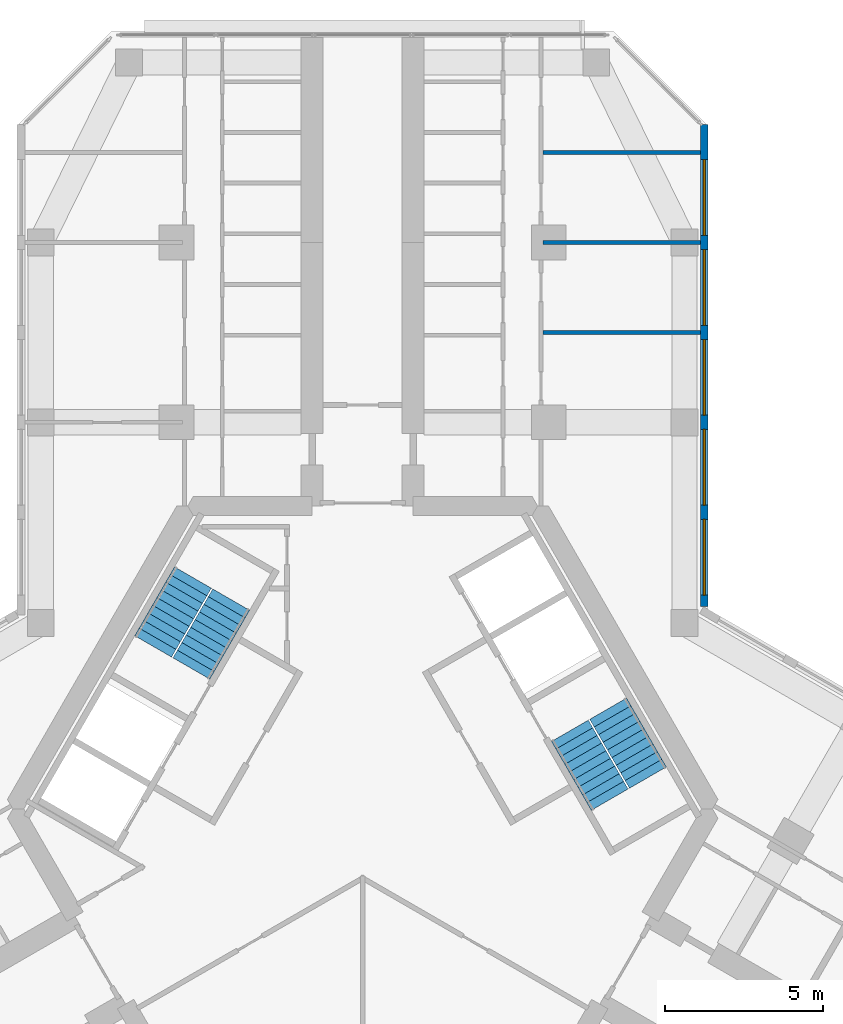
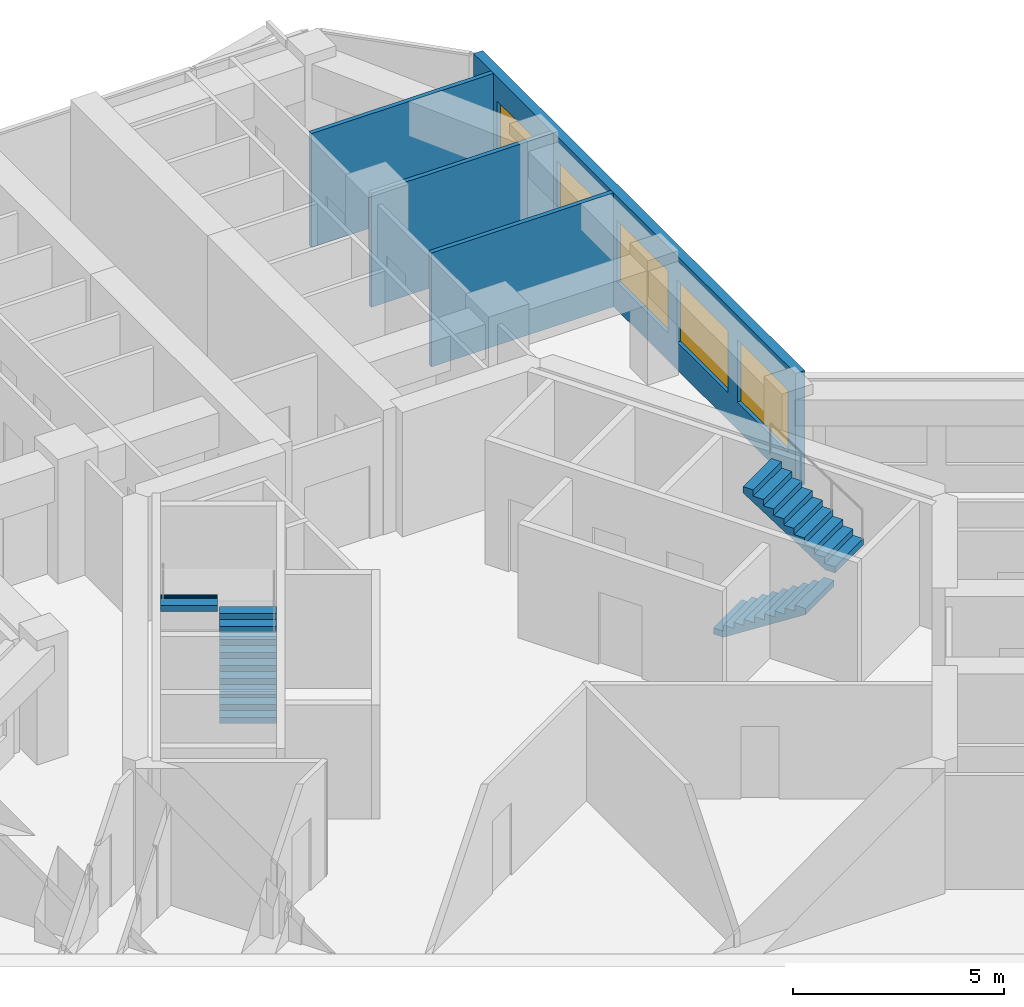
# One storey, part 15 of 16: 5 windows, 4 stair flights, 4 walls, 5 openings, 2 elements without a shape of their own.
"""IFC4 building model written with IfcOpenShell, lengths in metres."""

from ifc_helpers import new_model, si_unit, direction, frame, frame_2d, origin, place, context, subcontext, project, spatial, polyline, rectangle, outline, extrude, material, layer, layer_set, type_object, element, fill, aggregate, save


model = new_model("IFC4")

# Units and contexts
model_context = context("Model", 3, precision=1e-05, world=origin(), true_north=direction((0.0, 1.0)))
body_context = subcontext(model_context, "Body", "Model", "MODEL_VIEW")
ifc_project = project(units=[si_unit("LENGTHUNIT", "METRE"), si_unit("AREAUNIT", "SQUARE_METRE"), si_unit("VOLUMEUNIT", "CUBIC_METRE"), si_unit("PLANEANGLEUNIT", "RADIAN"), si_unit("MASSUNIT", "GRAM", prefix="KILO")], contexts=[model_context])

# Site, building, storey
site_placement = place(None, origin())
site = spatial("IfcSite", under=ifc_project, at=site_placement, CompositionType="ELEMENT")
building_placement = place(site_placement, origin())
building = spatial("IfcBuilding", under=site, at=building_placement, Name="Kosmar Iwan School Tower", CompositionType="ELEMENT")
storey_placement = place(building_placement, frame((0.0, 0.0, 256.800048828125)))
storey = spatial("IfcBuildingStorey", under=building, at=storey_placement, Name="L65", CompositionType="ELEMENT", Elevation=256.800048828125)

# Walls
ifc_material_1 = material(Name="Gypsum board on steel studs", Category="steel")
ifc_layer_1 = layer(ifc_material_1, 0.1201171875)
ifc_layer_set_1 = layer_set([ifc_layer_1], Name="Dwelling partition 120")
wall_type_1 = type_object("IfcWallType", Name="Dwelling partition 120", PredefinedType="PARTITIONING", material=ifc_layer_set_1)
for number, where, z_axis, x_axis, name in (
    (1, (5.7099609375, 15.10009765625, 0.0), (0.0, 0.0, 1.0), (1.0, 0.0, 0.0), "Partition L65-AR1-X1"),
    (2, (5.7099609375, 17.949951171875, 0.0), (0.0, 0.0, 1.0), (1.0, 0.0, 0.0), "Partition L65-AR1-X2"),
    (3, (5.7099609375, 20.800048828125, 0.0), (0.0, 0.0, 1.0), (1.0, 0.0, 0.0), "Partition L65-AR1-X3"),
):
    element("IfcWall", number, at=place(storey_placement, frame(where, z_axis=z_axis, x_axis=x_axis)), inside=storey, type_object=wall_type_1, Name=name, PredefinedType="PARTITIONING", context=body_context, shape_type="SweptSolid", body=[
        extrude(rectangle(XDim=4.989990234375, YDim=0.1201171875, at=frame_2d((2.4951171875, 0.0))), origin(), (0.0, 0.0, 1.0), 3.300048828125),
    ])

# Wall, openings, windows
ifc_material_2 = material(Name="Black aluminium rainscreen on insulated framing", Category="aluminium")
ifc_layer_2 = layer(ifc_material_2, 0.25)
ifc_layer_set_2 = layer_set([ifc_layer_2], Name="External wall rainscreen 250")
wall_type_2 = type_object("IfcWallType", Name="External wall rainscreen 250", PredefinedType="SOLIDWALL", material=ifc_layer_set_2)
wall_placement = place(storey_placement, frame((10.824951171875, 6.408935546875, 0.0), z_axis=(0.0, 0.0, 1.0), x_axis=(0.0, 1.0, 0.0)))
wall = element("IfcWall", 4, at=wall_placement, inside=storey, type_object=wall_type_2, Name="External wall AR L65", PredefinedType="SOLIDWALL", context=body_context, shape_type="SweptSolid", body=[
    extrude(rectangle(XDim=15.2763671875, YDim=0.25, at=frame_2d((7.63818359375, 0.0))), origin(), (0.0, 0.0, 1.0), 3.300048828125),
])
opening_1_placement = place(wall_placement, frame((0.365966796875, 0.0, 0.800048828125)))
opening_1 = element("IfcOpeningElement", 5, at=opening_1_placement, cuts=wall, Name="Opening W5", PredefinedType="OPENING", context=body_context, shape_type="SweptSolid", body=[
    extrude(rectangle(XDim=2.39990234375, YDim=1.800048828125, at=frame_2d((1.199951171875, 0.89990234375))), frame((0.0, 0.136962890625, 0.0), z_axis=(0.0, -1.0, 0.0), x_axis=(1.0, 0.0, 0.0)), (0.0, 0.0, 1.0), 0.27392578125),
])
opening_2_placement = place(wall_placement, frame((3.216064453125, 0.0, 0.800048828125)))
opening_2 = element("IfcOpeningElement", 6, at=opening_2_placement, cuts=wall, Name="Opening W5", PredefinedType="OPENING", context=body_context, shape_type="SweptSolid", body=[
    extrude(rectangle(XDim=2.39990234375, YDim=1.800048828125, at=frame_2d((1.199951171875, 0.89990234375))), frame((0.0, 0.136962890625, 0.0), z_axis=(0.0, -1.0, 0.0), x_axis=(1.0, 0.0, 0.0)), (0.0, 0.0, 1.0), 0.27392578125),
])
opening_3_placement = place(wall_placement, frame((6.06591796875, 0.0, 0.800048828125)))
opening_3 = element("IfcOpeningElement", 7, at=opening_3_placement, cuts=wall, Name="Opening W5", PredefinedType="OPENING", context=body_context, shape_type="SweptSolid", body=[
    extrude(rectangle(XDim=2.39990234375, YDim=1.800048828125, at=frame_2d((1.199951171875, 0.89990234375))), frame((0.0, 0.136962890625, 0.0), z_axis=(0.0, -1.0, 0.0), x_axis=(1.0, 0.0, 0.0)), (0.0, 0.0, 1.0), 0.27392578125),
])
opening_4_placement = place(wall_placement, frame((8.916015625, 0.0, 0.800048828125)))
opening_4 = element("IfcOpeningElement", 8, at=opening_4_placement, cuts=wall, Name="Opening W5", PredefinedType="OPENING", context=body_context, shape_type="SweptSolid", body=[
    extrude(rectangle(XDim=2.39990234375, YDim=1.800048828125, at=frame_2d((1.199951171875, 0.89990234375))), frame((0.0, 0.136962890625, 0.0), z_axis=(0.0, -1.0, 0.0), x_axis=(1.0, 0.0, 0.0)), (0.0, 0.0, 1.0), 0.27392578125),
])
opening_5_placement = place(wall_placement, frame((11.76611328125, 0.0, 0.800048828125)))
opening_5 = element("IfcOpeningElement", 9, at=opening_5_placement, cuts=wall, Name="Opening W5", PredefinedType="OPENING", context=body_context, shape_type="SweptSolid", body=[
    extrude(rectangle(XDim=2.39990234375, YDim=1.800048828125, at=frame_2d((1.199951171875, 0.89990234375))), frame((0.0, 0.136962890625, 0.0), z_axis=(0.0, -1.0, 0.0), x_axis=(1.0, 0.0, 0.0)), (0.0, 0.0, 1.0), 0.27392578125),
])
ifc_material_3 = material(Name="Black aluminium frame with dark triple glazing", Category="aluminium")
window_type = type_object("IfcWindowType", Name="Window 2400x1800", PartitioningType="SINGLE_PANEL", PredefinedType="WINDOW", material=ifc_material_3)
window_1_placement = place(opening_1_placement, origin())
window_1 = element("IfcWindow", 10, at=window_1_placement, inside=storey, type_object=window_type, Name="Window AR L65 -1", OverallHeight=1.800048828125, OverallWidth=2.39990234375, PartitioningType="SINGLE_PANEL", PredefinedType="WINDOW", context=body_context, shape_type="SweptSolid", body=[
    extrude(rectangle(XDim=2.39990234375, YDim=1.800048828125, at=frame_2d((1.199951171875, 0.89990234375))), frame((0.0, 0.030029296875, 0.0), z_axis=(0.0, -1.0, 0.0), x_axis=(1.0, 0.0, 0.0)), (0.0, 0.0, 1.0), 0.06005859375),
])
fill(opening_1, window_1)
window_2_placement = place(opening_2_placement, origin())
window_2 = element("IfcWindow", 11, at=window_2_placement, inside=storey, type_object=window_type, Name="Window AR L65 0", OverallHeight=1.800048828125, OverallWidth=2.39990234375, PartitioningType="SINGLE_PANEL", PredefinedType="WINDOW", context=body_context, shape_type="SweptSolid", body=[
    extrude(rectangle(XDim=2.39990234375, YDim=1.800048828125, at=frame_2d((1.199951171875, 0.89990234375))), frame((0.0, 0.030029296875, 0.0), z_axis=(0.0, -1.0, 0.0), x_axis=(1.0, 0.0, 0.0)), (0.0, 0.0, 1.0), 0.06005859375),
])
fill(opening_2, window_2)
window_3_placement = place(opening_3_placement, origin())
window_3 = element("IfcWindow", 12, at=window_3_placement, inside=storey, type_object=window_type, Name="Window AR L65 1", OverallHeight=1.800048828125, OverallWidth=2.39990234375, PartitioningType="SINGLE_PANEL", PredefinedType="WINDOW", context=body_context, shape_type="SweptSolid", body=[
    extrude(rectangle(XDim=2.39990234375, YDim=1.800048828125, at=frame_2d((1.199951171875, 0.89990234375))), frame((0.0, 0.030029296875, 0.0), z_axis=(0.0, -1.0, 0.0), x_axis=(1.0, 0.0, 0.0)), (0.0, 0.0, 1.0), 0.06005859375),
])
fill(opening_3, window_3)
window_4_placement = place(opening_4_placement, origin())
window_4 = element("IfcWindow", 13, at=window_4_placement, inside=storey, type_object=window_type, Name="Window AR L65 2", OverallHeight=1.800048828125, OverallWidth=2.39990234375, PartitioningType="SINGLE_PANEL", PredefinedType="WINDOW", context=body_context, shape_type="SweptSolid", body=[
    extrude(rectangle(XDim=2.39990234375, YDim=1.800048828125, at=frame_2d((1.199951171875, 0.89990234375))), frame((0.0, 0.030029296875, 0.0), z_axis=(0.0, -1.0, 0.0), x_axis=(1.0, 0.0, 0.0)), (0.0, 0.0, 1.0), 0.06005859375),
])
fill(opening_4, window_4)
window_5_placement = place(opening_5_placement, origin())
window_5 = element("IfcWindow", 14, at=window_5_placement, inside=storey, type_object=window_type, Name="Window AR L65 3", OverallHeight=1.800048828125, OverallWidth=2.39990234375, PartitioningType="SINGLE_PANEL", PredefinedType="WINDOW", context=body_context, shape_type="SweptSolid", body=[
    extrude(rectangle(XDim=2.39990234375, YDim=1.800048828125, at=frame_2d((1.199951171875, 0.89990234375))), frame((0.0, 0.030029296875, 0.0), z_axis=(0.0, -1.0, 0.0), x_axis=(1.0, 0.0, 0.0)), (0.0, 0.0, 1.0), 0.06005859375),
])
fill(opening_5, window_5)

# Stair, stair flights
ifc_material_4 = material(Name="Concrete C35/45", Category="concrete")
stair_type = type_object("IfcStairType", Name="Core stair 2750", PredefinedType="HALF_TURN_STAIR", material=ifc_material_4)
stair_1_placement = place(storey_placement, origin())
stair_1 = element("IfcStair", 15, at=stair_1_placement, inside=storey, type_object=stair_type, Name="Stair ST2 L65", PredefinedType="HALF_TURN_STAIR")
ifc_material_5 = material(Name="Concrete C35/45", Category="concrete")
stair_flight_type = type_object("IfcStairFlightType", Name="Stair flight 1350", PredefinedType="STRAIGHT", material=ifc_material_5)
stair_flight_1_placement = place(storey_placement, frame((-5.42724609375, 4.44970703125, 0.0), z_axis=(0.0, 0.0, 1.0), x_axis=(0.5, 0.866025403784, 0.0)))
stair_flight_1 = element("IfcStairFlight", 16, at=stair_flight_1_placement, type_object=stair_flight_type, Name="ST2 flight 1", NumberOfRisers=10, NumberOfTreads=9, PredefinedType="STRAIGHT", RiserHeight=0.18, TreadLength=0.28, context=body_context, shape_type="SweptSolid", body=[
    extrude(outline(polyline([(0.0, 0.0), (0.0, 0.179931640625), (0.280029296875, 0.179931640625), (0.280029296875, 0.360107421875), (0.56005859375, 0.360107421875), (0.56005859375, 0.5400390625), (0.840087890625, 0.5400390625), (0.840087890625, 0.719970703125), (1.1201171875, 0.719970703125), (1.1201171875, 0.89990234375), (1.39990234375, 0.89990234375), (1.39990234375, 1.080078125), (1.679931640625, 1.080078125), (1.679931640625, 1.260009765625), (1.9599609375, 1.260009765625), (1.9599609375, 1.43994140625), (2.239990234375, 1.43994140625), (2.239990234375, 1.6201171875), (2.52001953125, 1.6201171875), (2.52001953125, 1.800048828125), (2.52001953125, 1.44189453125), (0.277099609375, 0.0), (0.0, 0.0)])), frame((0.0, 0.675048828125, 0.0), z_axis=(0.0, -1.0, 0.0), x_axis=(1.0, 0.0, 0.0)), (0.0, 0.0, 1.0), 1.35009765625),
])
stair_flight_2_placement = place(storey_placement, frame((-5.379638671875, 7.33203125, 1.800048828125), z_axis=(0.0, 0.0, 1.0), x_axis=(-0.5, -0.866025403784, 0.0)))
stair_flight_2 = element("IfcStairFlight", 17, at=stair_flight_2_placement, type_object=stair_flight_type, Name="ST2 flight 2", NumberOfRisers=10, NumberOfTreads=9, PredefinedType="STRAIGHT", RiserHeight=0.18, TreadLength=0.28, context=body_context, shape_type="SweptSolid", body=[
    extrude(outline(polyline([(0.0, 0.0), (0.0, 0.179931640625), (0.280029296875, 0.179931640625), (0.280029296875, 0.360107421875), (0.56005859375, 0.360107421875), (0.56005859375, 0.5400390625), (0.840087890625, 0.5400390625), (0.840087890625, 0.719970703125), (1.1201171875, 0.719970703125), (1.1201171875, 0.89990234375), (1.39990234375, 0.89990234375), (1.39990234375, 1.080078125), (1.679931640625, 1.080078125), (1.679931640625, 1.260009765625), (1.9599609375, 1.260009765625), (1.9599609375, 1.43994140625), (2.239990234375, 1.43994140625), (2.239990234375, 1.6201171875), (2.52001953125, 1.6201171875), (2.52001953125, 1.800048828125), (2.52001953125, 1.44189453125), (0.277099609375, 0.0), (0.0, 0.0)])), frame((0.0, 0.675048828125, 0.0), z_axis=(0.0, -1.0, 0.0), x_axis=(1.0, 0.0, 0.0)), (0.0, 0.0, 1.0), 1.35009765625),
])
aggregate(stair_1, [stair_flight_1, stair_flight_2])

stair_2_placement = place(storey_placement, origin())
stair_2 = element("IfcStair", 18, at=stair_2_placement, inside=storey, type_object=stair_type, Name="Stair ST1 L65", PredefinedType="HALF_TURN_STAIR")
stair_flight_3_placement = place(storey_placement, frame((6.567138671875, 2.475341796875, 0.0), z_axis=(0.0, 0.0, 1.0), x_axis=(0.5, -0.866025403784, 0.0)))
stair_flight_3 = element("IfcStairFlight", 19, at=stair_flight_3_placement, type_object=stair_flight_type, Name="ST1 flight 1", NumberOfRisers=10, NumberOfTreads=9, PredefinedType="STRAIGHT", RiserHeight=0.18, TreadLength=0.28, context=body_context, shape_type="SweptSolid", body=[
    extrude(outline(polyline([(0.0, 0.0), (0.0, 0.179931640625), (0.280029296875, 0.179931640625), (0.280029296875, 0.360107421875), (0.56005859375, 0.360107421875), (0.56005859375, 0.5400390625), (0.840087890625, 0.5400390625), (0.840087890625, 0.719970703125), (1.1201171875, 0.719970703125), (1.1201171875, 0.89990234375), (1.39990234375, 0.89990234375), (1.39990234375, 1.080078125), (1.679931640625, 1.080078125), (1.679931640625, 1.260009765625), (1.9599609375, 1.260009765625), (1.9599609375, 1.43994140625), (2.239990234375, 1.43994140625), (2.239990234375, 1.6201171875), (2.52001953125, 1.6201171875), (2.52001953125, 1.800048828125), (2.52001953125, 1.44189453125), (0.277099609375, 0.0), (0.0, 0.0)])), frame((0.0, 0.675048828125, 0.0), z_axis=(0.0, -1.0, 0.0), x_axis=(1.0, 0.0, 0.0)), (0.0, 0.0, 1.0), 1.35009765625),
])
stair_flight_4_placement = place(storey_placement, frame((9.03955078125, 0.992919921875, 1.800048828125), z_axis=(0.0, 0.0, 1.0), x_axis=(-0.5, 0.866025403784, 0.0)))
stair_flight_4 = element("IfcStairFlight", 20, at=stair_flight_4_placement, type_object=stair_flight_type, Name="ST1 flight 2", NumberOfRisers=10, NumberOfTreads=9, PredefinedType="STRAIGHT", RiserHeight=0.18, TreadLength=0.28, context=body_context, shape_type="SweptSolid", body=[
    extrude(outline(polyline([(0.0, 0.0), (0.0, 0.179931640625), (0.280029296875, 0.179931640625), (0.280029296875, 0.360107421875), (0.56005859375, 0.360107421875), (0.56005859375, 0.5400390625), (0.840087890625, 0.5400390625), (0.840087890625, 0.719970703125), (1.1201171875, 0.719970703125), (1.1201171875, 0.89990234375), (1.39990234375, 0.89990234375), (1.39990234375, 1.080078125), (1.679931640625, 1.080078125), (1.679931640625, 1.260009765625), (1.9599609375, 1.260009765625), (1.9599609375, 1.43994140625), (2.239990234375, 1.43994140625), (2.239990234375, 1.6201171875), (2.52001953125, 1.6201171875), (2.52001953125, 1.800048828125), (2.52001953125, 1.44189453125), (0.277099609375, 0.0), (0.0, 0.0)])), frame((0.0, 0.675048828125, 0.0), z_axis=(0.0, -1.0, 0.0), x_axis=(1.0, 0.0, 0.0)), (0.0, 0.0, 1.0), 1.35009765625),
])
aggregate(stair_2, [stair_flight_3, stair_flight_4])

save(model, "model.ifc")
